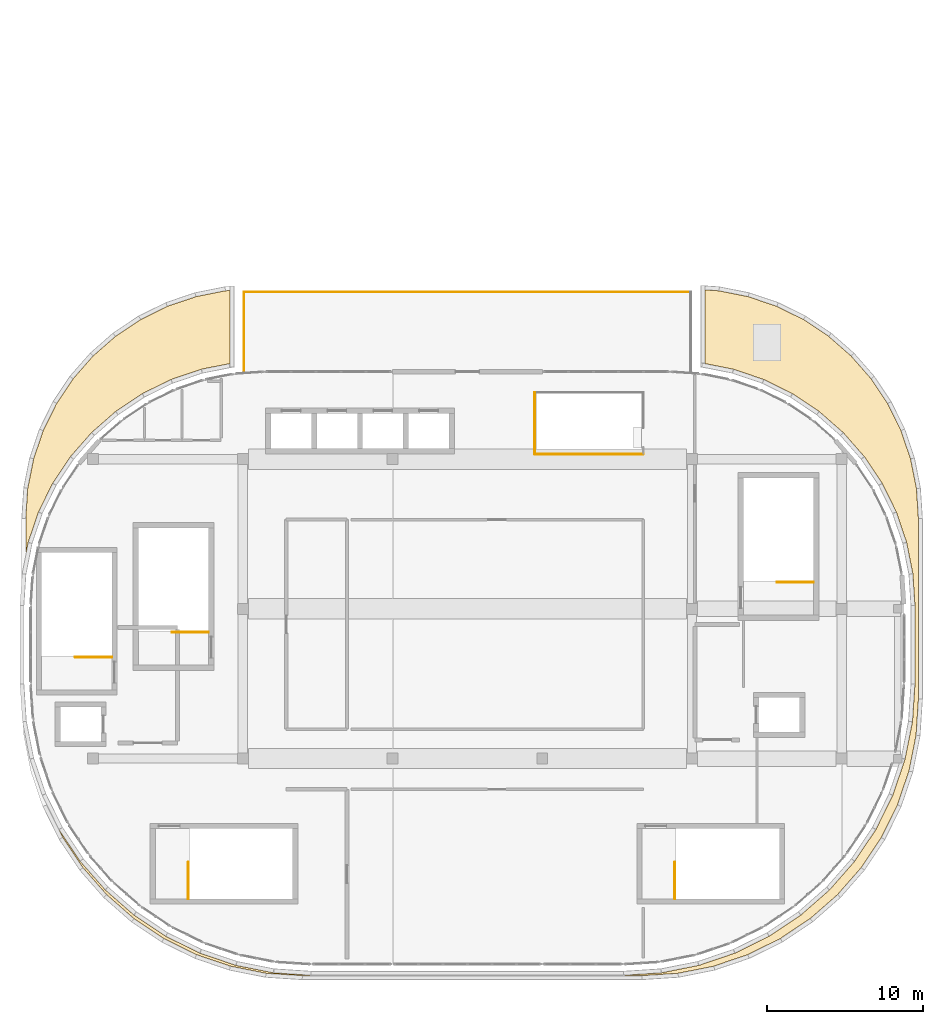
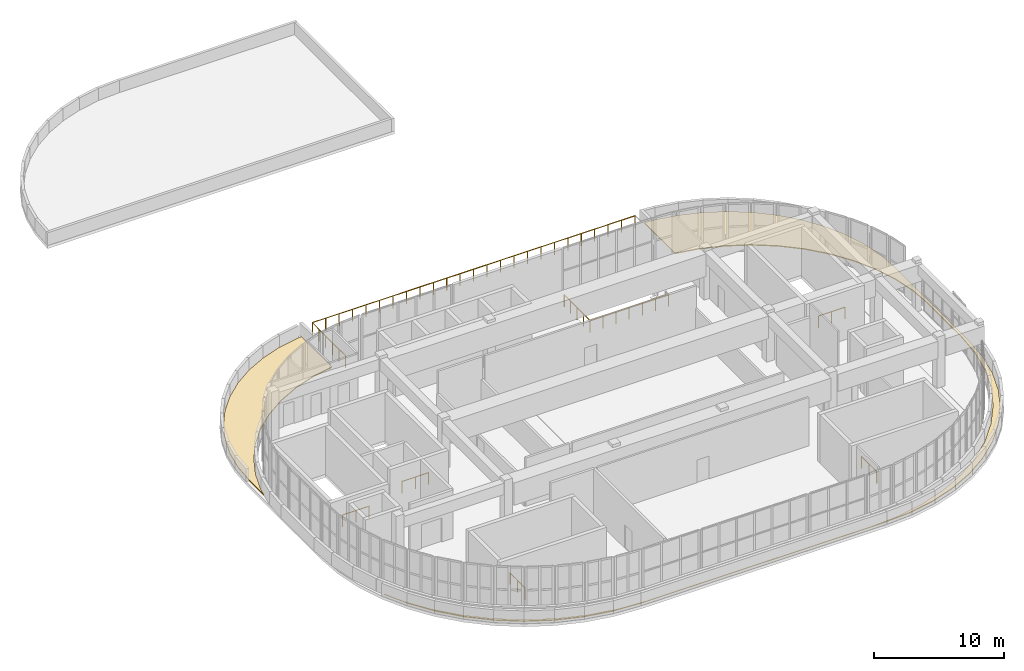
# One storey, part 21 of 23: 9 railings, 2 coverings.
"""IFC4 building model written with IfcOpenShell, lengths in metres."""

from ifc_helpers import new_model, si_unit, direction, frame, origin, origin_2d, place, context, subcontext, project, spatial, polyline, circle, outline, extrude, material, layer, layer_set, type_object, element, save


model = new_model("IFC4")

# Units and contexts
model_context = context("Model", 3, precision=1e-05, world=origin(), true_north=direction((0.0, 1.0)))
body_context = subcontext(model_context, "Body", "Model", "MODEL_VIEW")
ifc_project = project(units=[si_unit("LENGTHUNIT", "METRE"), si_unit("AREAUNIT", "SQUARE_METRE"), si_unit("VOLUMEUNIT", "CUBIC_METRE"), si_unit("PLANEANGLEUNIT", "RADIAN"), si_unit("MASSUNIT", "GRAM", prefix="KILO")], contexts=[model_context])

# Site, building, storey
site_placement = place(None, origin())
site = spatial("IfcSite", under=ifc_project, at=site_placement, CompositionType="ELEMENT")
building_placement = place(site_placement, origin())
building = spatial("IfcBuilding", under=site, at=building_placement, Name="Cendralis Terraced Arcade", CompositionType="ELEMENT")
storey_placement = place(building_placement, frame((0.0, 0.0, 29.39990234375)))
storey = spatial("IfcBuildingStorey", under=building, at=storey_placement, Name="L06", CompositionType="ELEMENT", Elevation=29.39990234375)

# Coverings
ifc_material_1 = material(Name="TPO insulated waterproofing membrane")
ifc_layer = layer(ifc_material_1, 0.080078125, Name="COV-ROOF-MEM-80")
ifc_layer_set = layer_set([ifc_layer], Name="TPO insulated waterproofing membrane")
covering_type = type_object("IfcCoveringType", Name="COV-ROOF-MEM-80", PredefinedType="ROOFING", material=ifc_layer_set)
covering_1_placement = place(storey_placement, origin())
element("IfcCovering", 1, at=covering_1_placement, inside=storey, type_object=covering_type, Name="Insulated Waterproofing Roof Membrane L06-08", PredefinedType="ROOFING", context=body_context, shape_type="SweptSolid", body=[
    extrude(outline(polyline([(5.280029296875, 32.292236328125), (5.280029296875, 34.5908203125), (5.406494140625, 36.521240234375), (5.781982421875, 38.40966796875), (6.40087890625, 40.23291015625), (7.252685546875, 41.959716796875), (8.322265625, 43.560546875), (9.591796875, 45.00830078125), (11.039306640625, 46.277587890625), (12.640380859375, 47.347412109375), (14.3671875, 48.198974609375), (16.190185546875, 48.81787109375), (18.07861328125, 49.193603515625), (18.3701171875, 49.212646484375), (18.3701171875, 44.53125), (16.55419921875, 44.170166015625), (16.518798828125, 44.16064453125), (14.608642578125, 43.51220703125), (14.57470703125, 43.498291015625), (12.765625, 42.60595703125), (12.73388671875, 42.587646484375), (11.056884765625, 41.467041015625), (11.02783203125, 41.444580078125), (9.51123046875, 40.11474609375), (9.4853515625, 40.0888671875), (8.1552734375, 38.572265625), (8.133056640625, 38.543212890625), (7.01220703125, 36.865966796875), (6.993896484375, 36.834228515625), (6.101806640625, 35.025146484375), (6.087890625, 34.991455078125), (5.439453125, 33.081298828125), (5.429931640625, 33.0458984375), (5.280029296875, 32.292236328125)])), origin(), (0.0, 0.0, 1.0), 0.080078125),
])
covering_2_placement = place(storey_placement, origin())
element("IfcCovering", 2, at=covering_2_placement, inside=storey, type_object=covering_type, Name="Insulated Waterproofing Roof Membrane L06-08", PredefinedType="ROOFING", context=body_context, shape_type="SweptSolid", body=[
    extrude(outline(polyline([(6.62841796875, 16.221923828125), (7.39599609375, 14.665771484375), (7.414306640625, 14.634033203125), (8.7529296875, 12.630615234375), (8.775146484375, 12.601318359375), (10.364013671875, 10.789794921875), (10.389892578125, 10.763916015625), (12.201416015625, 9.17529296875), (12.23046875, 9.15283203125), (14.23388671875, 7.814208984375), (14.265625, 7.7958984375), (16.4267578125, 6.730224609375), (16.460693359375, 6.71630859375), (18.742431640625, 5.941650390625), (18.777587890625, 5.93212890625), (21.140869140625, 5.462158203125), (21.17724609375, 5.457275390625), (23.56787109375, 5.300537109375), (23.586181640625, 5.300048828125), (43.61376953125, 5.300048828125), (43.632080078125, 5.300537109375), (46.022705078125, 5.457275390625), (46.05908203125, 5.462158203125), (48.42236328125, 5.93212890625), (48.45751953125, 5.941650390625), (50.739501953125, 6.71630859375), (50.773193359375, 6.730224609375), (52.934326171875, 7.7958984375), (52.966064453125, 7.814208984375), (54.969482421875, 9.15283203125), (54.99853515625, 9.17529296875), (56.81005859375, 10.763916015625), (56.8359375, 10.789794921875), (58.4248046875, 12.601318359375), (58.447021484375, 12.630615234375), (59.785888671875, 14.634033203125), (59.80419921875, 14.665771484375), (60.869873046875, 16.826904296875), (60.8837890625, 16.860595703125), (61.658447265625, 19.142333984375), (61.66796875, 19.177734375), (62.137939453125, 21.541015625), (62.142578125, 21.5771484375), (62.29931640625, 23.968017578125), (62.300048828125, 23.986328125), (62.300048828125, 29.013671875), (62.29931640625, 29.031982421875), (62.16845703125, 31.031005859375), (62.16357421875, 31.0673828125), (61.77001953125, 33.0458984375), (61.760498046875, 33.081298828125), (61.1123046875, 34.991455078125), (61.09814453125, 35.025146484375), (60.2060546875, 36.834228515625), (60.187744140625, 36.865966796875), (59.06689453125, 38.543212890625), (59.044677734375, 38.572265625), (57.714599609375, 40.0888671875), (57.688720703125, 40.11474609375), (56.172119140625, 41.444580078125), (56.143310546875, 41.467041015625), (54.466064453125, 42.587646484375), (54.434326171875, 42.60595703125), (52.625244140625, 43.498291015625), (52.59130859375, 43.51220703125), (50.68115234375, 44.16064453125), (50.64599609375, 44.170166015625), (48.830078125, 44.53125), (48.830078125, 49.251953125), (49.72119140625, 49.193603515625), (51.609619140625, 48.81787109375), (53.432861328125, 48.198974609375), (55.15966796875, 47.347412109375), (56.760498046875, 46.277587890625), (58.208251953125, 45.00830078125), (59.477783203125, 43.560546875), (60.54736328125, 41.959716796875), (61.39892578125, 40.23291015625), (62.017822265625, 38.40966796875), (62.3935546875, 36.521240234375), (62.52001953125, 34.5908203125), (62.52001953125, 23.00927734375), (62.367919921875, 20.68701171875), (61.915771484375, 18.413818359375), (61.170654296875, 16.218994140625), (60.1455078125, 14.140380859375), (58.85791015625, 12.213134765625), (57.32958984375, 10.470458984375), (55.5869140625, 8.942138671875), (53.65966796875, 7.654541015625), (51.580810546875, 6.62939453125), (49.385986328125, 5.88427734375), (47.11279296875, 5.43212890625), (44.790771484375, 5.280029296875), (23.00927734375, 5.280029296875), (20.68701171875, 5.43212890625), (18.413818359375, 5.88427734375), (16.218994140625, 6.62939453125), (14.140380859375, 7.654541015625), (12.213134765625, 8.942138671875), (10.470458984375, 10.470458984375), (8.942138671875, 12.213134765625), (7.654541015625, 14.140380859375), (6.62939453125, 16.218994140625), (6.62841796875, 16.221923828125)])), origin(), (0.0, 0.0, 1.0), 0.080078125),
])

# Railings
ifc_material_2 = material(Name="Brushed stainless steel AISI 316", Category="steel")
railing_type_1 = type_object("IfcRailingType", Name="RL-STAIR-GUARD-1100", PredefinedType="GUARDRAIL", material=ifc_material_2)
railing_1_placement = place(storey_placement, frame((10.800048828125, 25.699951171875, 0.0)))
element("IfcRailing", 3, at=railing_1_placement, inside=storey, type_object=railing_type_1, Name="L06 ST-01 top well guard 1", PredefinedType="GUARDRAIL", context=body_context, shape_type="SweptSolid", body=[
    extrude(circle(Radius=0.02392578125, at=origin_2d()), frame((0.0, 0.0, 1.076171875), z_axis=(-1.0, 0.0, 0.0), x_axis=(0.0, -1.0, 0.0)), (0.0, 0.0, 1.0), 2.35009765625),
    extrude(circle(Radius=0.02099609375, at=origin_2d()), origin(), (0.0, 0.0, 1.0), 1.052001953125),
    extrude(circle(Radius=0.02099609375, at=origin_2d()), frame((-1.175048828125, 0.0, 0.0)), (0.0, 0.0, 1.0), 1.052001953125),
    extrude(circle(Radius=0.02099609375, at=origin_2d()), frame((-2.35009765625, 0.0, 0.0)), (0.0, 0.0, 1.0), 1.052001953125),
])
for number, where, name in (
    (4, (15.699951171875, 10.199951171875, 0.0), "L06 ST-02 top well guard 1"),
    (5, (46.89990234375, 10.199951171875, 0.0), "L06 ST-03 top well guard 1"),
):
    element("IfcRailing", number, at=place(storey_placement, frame(where)), inside=storey, type_object=railing_type_1, Name=name, PredefinedType="GUARDRAIL", context=body_context, shape_type="SweptSolid", body=[
        extrude(circle(Radius=0.02392578125, at=origin_2d()), frame((0.0, 0.0, 1.076171875), z_axis=(0.0, 1.0, 0.0), x_axis=(-1.0, 0.0, 0.0)), (0.0, 0.0, 1.0), 2.35009765625),
        extrude(circle(Radius=0.02099609375, at=origin_2d()), origin(), (0.0, 0.0, 1.0), 1.052001953125),
        extrude(circle(Radius=0.02099609375, at=origin_2d()), frame((0.0, 1.175048828125, 0.0)), (0.0, 0.0, 1.0), 1.052001953125),
        extrude(circle(Radius=0.02099609375, at=origin_2d()), frame((0.0, 2.35009765625, 0.0)), (0.0, 0.0, 1.0), 1.052001953125),
    ])
for number, where, name in (
    (6, (55.800048828125, 30.5, 0.0), "L06 ST-04 top well guard 1"),
    (7, (17.0, 27.300048828125, 0.0), "L06 ST-05 top well guard 1"),
):
    element("IfcRailing", number, at=place(storey_placement, frame(where)), inside=storey, type_object=railing_type_1, Name=name, PredefinedType="GUARDRAIL", context=body_context, shape_type="SweptSolid", body=[
        extrude(circle(Radius=0.02392578125, at=origin_2d()), frame((0.0, 0.0, 1.076171875), z_axis=(-1.0, 0.0, 0.0), x_axis=(0.0, -1.0, 0.0)), (0.0, 0.0, 1.0), 2.35009765625),
        extrude(circle(Radius=0.02099609375, at=origin_2d()), origin(), (0.0, 0.0, 1.0), 1.052001953125),
        extrude(circle(Radius=0.02099609375, at=origin_2d()), frame((-1.175048828125, 0.0, 0.0)), (0.0, 0.0, 1.0), 1.052001953125),
        extrude(circle(Radius=0.02099609375, at=origin_2d()), frame((-2.35009765625, 0.0, 0.0)), (0.0, 0.0, 1.0), 1.052001953125),
    ])
railing_type_2 = type_object("IfcRailingType", Name="RL-TER-GUARD-1150", PredefinedType="GUARDRAIL", material=ifc_material_2)
railing_2_placement = place(storey_placement, frame((19.280029296875, 44.0, 0.0)))
element("IfcRailing", 8, at=railing_2_placement, inside=storey, type_object=railing_type_2, Name="Planted Terrace Perimeter Guardrail GR-TER-L06-021", PredefinedType="GUARDRAIL", context=body_context, shape_type="SweptSolid", body=[
    extrude(circle(Radius=0.02392578125, at=origin_2d()), frame((0.0, 0.0, 1.1259765625), z_axis=(0.0, 1.0, 0.0), x_axis=(-1.0, 0.0, 0.0)), (0.0, 0.0, 1.0), 5.1201171875),
    extrude(circle(Radius=0.02099609375, at=origin_2d()), origin(), (0.0, 0.0, 1.0), 1.101806640625),
    extrude(circle(Radius=0.02099609375, at=origin_2d()), frame((0.0, 1.02392578125, 0.0)), (0.0, 0.0, 1.0), 1.101806640625),
    extrude(circle(Radius=0.02099609375, at=origin_2d()), frame((0.0, 2.048095703125, 0.0)), (0.0, 0.0, 1.0), 1.101806640625),
    extrude(circle(Radius=0.02099609375, at=origin_2d()), frame((0.0, 3.072021484375, 0.0)), (0.0, 0.0, 1.0), 1.101806640625),
    extrude(circle(Radius=0.02099609375, at=origin_2d()), frame((0.0, 4.09619140625, 0.0)), (0.0, 0.0, 1.0), 1.101806640625),
    extrude(circle(Radius=0.02099609375, at=origin_2d()), frame((0.0, 5.1201171875, 0.0)), (0.0, 0.0, 1.0), 1.101806640625),
])
railing_3_placement = place(storey_placement, frame((19.280029296875, 49.1201171875, 0.0)))
element("IfcRailing", 9, at=railing_3_placement, inside=storey, type_object=railing_type_2, Name="Planted Terrace Perimeter Guardrail GR-TER-L06-022", PredefinedType="GUARDRAIL", context=body_context, shape_type="SweptSolid", body=[
    extrude(circle(Radius=0.02392578125, at=origin_2d()), frame((0.0, 0.0, 1.1259765625), z_axis=(1.0, 0.0, 0.0), x_axis=(0.0, 1.0, 0.0)), (0.0, 0.0, 1.0), 28.639892578125),
    extrude(circle(Radius=0.02099609375, at=origin_2d()), origin(), (0.0, 0.0, 1.0), 1.101806640625),
    extrude(circle(Radius=0.02099609375, at=origin_2d()), frame((1.193359375, 0.0, 0.0)), (0.0, 0.0, 1.0), 1.101806640625),
    extrude(circle(Radius=0.02099609375, at=origin_2d()), frame((2.38671875, 0.0, 0.0)), (0.0, 0.0, 1.0), 1.101806640625),
    extrude(circle(Radius=0.02099609375, at=origin_2d()), frame((3.580078125, 0.0, 0.0)), (0.0, 0.0, 1.0), 1.101806640625),
    extrude(circle(Radius=0.02099609375, at=origin_2d()), frame((4.7734375, 0.0, 0.0)), (0.0, 0.0, 1.0), 1.101806640625),
    extrude(circle(Radius=0.02099609375, at=origin_2d()), frame((5.966552734375, 0.0, 0.0)), (0.0, 0.0, 1.0), 1.101806640625),
    extrude(circle(Radius=0.02099609375, at=origin_2d()), frame((7.159912109375, 0.0, 0.0)), (0.0, 0.0, 1.0), 1.101806640625),
    extrude(circle(Radius=0.02099609375, at=origin_2d()), frame((8.353271484375, 0.0, 0.0)), (0.0, 0.0, 1.0), 1.101806640625),
    extrude(circle(Radius=0.02099609375, at=origin_2d()), frame((9.546630859375, 0.0, 0.0)), (0.0, 0.0, 1.0), 1.101806640625),
    extrude(circle(Radius=0.02099609375, at=origin_2d()), frame((10.739990234375, 0.0, 0.0)), (0.0, 0.0, 1.0), 1.101806640625),
    extrude(circle(Radius=0.02099609375, at=origin_2d()), frame((11.933349609375, 0.0, 0.0)), (0.0, 0.0, 1.0), 1.101806640625),
    extrude(circle(Radius=0.02099609375, at=origin_2d()), frame((13.126708984375, 0.0, 0.0)), (0.0, 0.0, 1.0), 1.101806640625),
    extrude(circle(Radius=0.02099609375, at=origin_2d()), frame((14.31982421875, 0.0, 0.0)), (0.0, 0.0, 1.0), 1.101806640625),
    extrude(circle(Radius=0.02099609375, at=origin_2d()), frame((15.51318359375, 0.0, 0.0)), (0.0, 0.0, 1.0), 1.101806640625),
    extrude(circle(Radius=0.02099609375, at=origin_2d()), frame((16.70654296875, 0.0, 0.0)), (0.0, 0.0, 1.0), 1.101806640625),
    extrude(circle(Radius=0.02099609375, at=origin_2d()), frame((17.89990234375, 0.0, 0.0)), (0.0, 0.0, 1.0), 1.101806640625),
    extrude(circle(Radius=0.02099609375, at=origin_2d()), frame((19.09326171875, 0.0, 0.0)), (0.0, 0.0, 1.0), 1.101806640625),
    extrude(circle(Radius=0.02099609375, at=origin_2d()), frame((20.28662109375, 0.0, 0.0)), (0.0, 0.0, 1.0), 1.101806640625),
    extrude(circle(Radius=0.02099609375, at=origin_2d()), frame((21.47998046875, 0.0, 0.0)), (0.0, 0.0, 1.0), 1.101806640625),
    extrude(circle(Radius=0.02099609375, at=origin_2d()), frame((22.67333984375, 0.0, 0.0)), (0.0, 0.0, 1.0), 1.101806640625),
    extrude(circle(Radius=0.02099609375, at=origin_2d()), frame((23.86669921875, 0.0, 0.0)), (0.0, 0.0, 1.0), 1.101806640625),
    extrude(circle(Radius=0.02099609375, at=origin_2d()), frame((25.059814453125, 0.0, 0.0)), (0.0, 0.0, 1.0), 1.101806640625),
    extrude(circle(Radius=0.02099609375, at=origin_2d()), frame((26.253173828125, 0.0, 0.0)), (0.0, 0.0, 1.0), 1.101806640625),
    extrude(circle(Radius=0.02099609375, at=origin_2d()), frame((27.446533203125, 0.0, 0.0)), (0.0, 0.0, 1.0), 1.101806640625),
    extrude(circle(Radius=0.02099609375, at=origin_2d()), frame((28.639892578125, 0.0, 0.0)), (0.0, 0.0, 1.0), 1.101806640625),
])
railing_type_3 = type_object("IfcRailingType", Name="RL-VOID-BAL-1150", PredefinedType="BALUSTRADE", material=ifc_material_2)
railing_4_placement = place(storey_placement, frame((44.8798828125, 38.719970703125, 0.0)))
element("IfcRailing", 10, at=railing_4_placement, inside=storey, type_object=railing_type_3, Name="Escalator Well Deck-Edge Balustrade L06-031", PredefinedType="BALUSTRADE", context=body_context, shape_type="SweptSolid", body=[
    extrude(circle(Radius=0.02392578125, at=origin_2d()), frame((0.0, 0.0, 1.1259765625), z_axis=(-1.0, 0.0, 0.0), x_axis=(0.0, -1.0, 0.0)), (0.0, 0.0, 1.0), 6.9599609375),
    extrude(circle(Radius=0.02099609375, at=origin_2d()), origin(), (0.0, 0.0, 1.0), 1.101806640625),
    extrude(circle(Radius=0.02099609375, at=origin_2d()), frame((-1.159912109375, 0.0, 0.0)), (0.0, 0.0, 1.0), 1.101806640625),
    extrude(circle(Radius=0.02099609375, at=origin_2d()), frame((-2.320068359375, 0.0, 0.0)), (0.0, 0.0, 1.0), 1.101806640625),
    extrude(circle(Radius=0.02099609375, at=origin_2d()), frame((-3.47998046875, 0.0, 0.0)), (0.0, 0.0, 1.0), 1.101806640625),
    extrude(circle(Radius=0.02099609375, at=origin_2d()), frame((-4.639892578125, 0.0, 0.0)), (0.0, 0.0, 1.0), 1.101806640625),
    extrude(circle(Radius=0.02099609375, at=origin_2d()), frame((-5.800048828125, 0.0, 0.0)), (0.0, 0.0, 1.0), 1.101806640625),
    extrude(circle(Radius=0.02099609375, at=origin_2d()), frame((-6.9599609375, 0.0, 0.0)), (0.0, 0.0, 1.0), 1.101806640625),
])
railing_5_placement = place(storey_placement, frame((37.919921875, 38.719970703125, 0.0)))
element("IfcRailing", 11, at=railing_5_placement, inside=storey, type_object=railing_type_3, Name="Escalator Well Deck-Edge Balustrade L06-032", PredefinedType="BALUSTRADE", context=body_context, shape_type="SweptSolid", body=[
    extrude(circle(Radius=0.02392578125, at=origin_2d()), frame((0.0, 0.0, 1.1259765625), z_axis=(0.0, 1.0, 0.0), x_axis=(-1.0, 0.0, 0.0)), (0.0, 0.0, 1.0), 3.9599609375),
    extrude(circle(Radius=0.02099609375, at=origin_2d()), origin(), (0.0, 0.0, 1.0), 1.101806640625),
    extrude(circle(Radius=0.02099609375, at=origin_2d()), frame((0.0, 0.989990234375, 0.0)), (0.0, 0.0, 1.0), 1.101806640625),
    extrude(circle(Radius=0.02099609375, at=origin_2d()), frame((0.0, 1.97998046875, 0.0)), (0.0, 0.0, 1.0), 1.101806640625),
    extrude(circle(Radius=0.02099609375, at=origin_2d()), frame((0.0, 2.969970703125, 0.0)), (0.0, 0.0, 1.0), 1.101806640625),
    extrude(circle(Radius=0.02099609375, at=origin_2d()), frame((0.0, 3.9599609375, 0.0)), (0.0, 0.0, 1.0), 1.101806640625),
])

save(model, "model.ifc")
